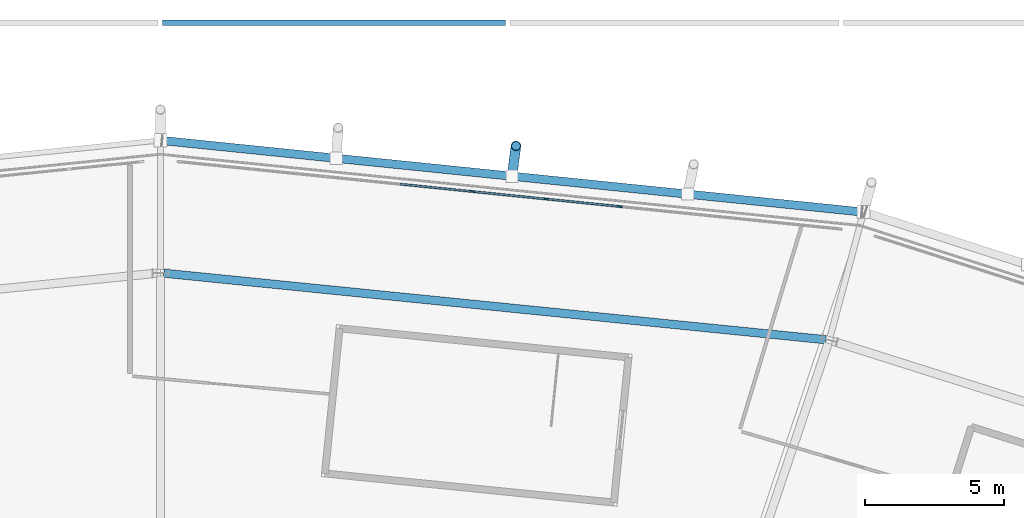
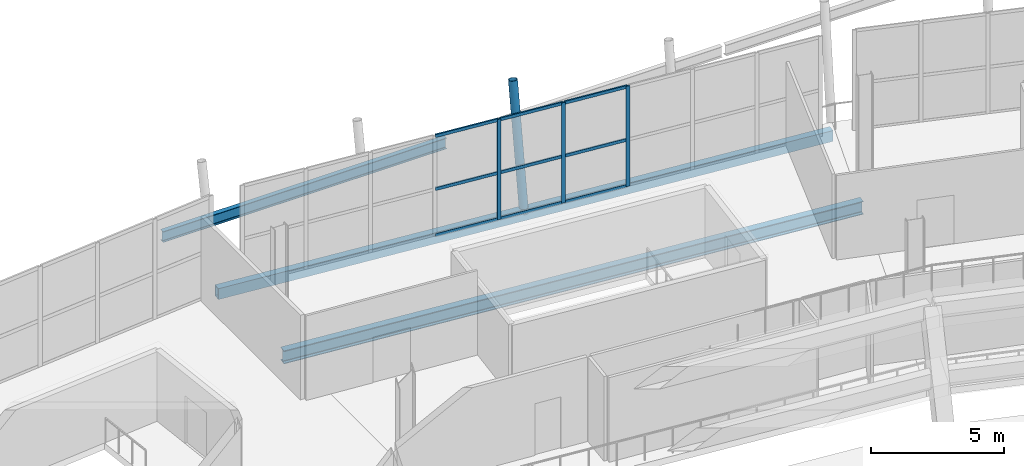
# One storey, part 55 of 126: 13 members, 3 beams, 1 element without a shape of its own.
"""IFC4 building model written with IfcOpenShell, lengths in metres."""

from ifc_helpers import new_model, si_unit, direction, frame, origin, origin_2d, place, context, subcontext, project, spatial, rectangle, hollow_rectangle, hollow_circle, i_section, extrude, material, material_profile, profile_set, type_object, element, aggregate, save


model = new_model("IFC4")

# Units and contexts
model_context = context("Model", 3, precision=1e-05, world=origin(), true_north=direction((0.0, 1.0)))
body_context = subcontext(model_context, "Body", "Model", "MODEL_VIEW")
ifc_project = project(units=[si_unit("LENGTHUNIT", "METRE"), si_unit("AREAUNIT", "SQUARE_METRE"), si_unit("VOLUMEUNIT", "CUBIC_METRE"), si_unit("PLANEANGLEUNIT", "RADIAN"), si_unit("MASSUNIT", "GRAM", prefix="KILO")], contexts=[model_context])

# Site, building, storey
site_placement = place(None, origin())
site = spatial("IfcSite", under=ifc_project, at=site_placement, CompositionType="ELEMENT")
building_placement = place(site_placement, origin())
building = spatial("IfcBuilding", under=site, at=building_placement, Name="Zlatoyarsky Gate Stadium", CompositionType="ELEMENT")
storey_placement = place(building_placement, frame((0.0, 0.0, 20.800048828125)))
storey = spatial("IfcBuildingStorey", under=building, at=storey_placement, Name="L04", CompositionType="ELEMENT", Elevation=20.800048828125)

# Curtain wall, members
ifc_material_1 = material(Name="Thermally broken anodised aluminium curtain wall", Category="aluminium")
curtain_wall_type = type_object("IfcCurtainWallType", Name="UNITISED MEDIA RING GLAZING L04", PredefinedType="USERDEFINED", material=ifc_material_1)
curtain_wall_placement = place(storey_placement, origin())
curtain_wall = element("IfcCurtainWall", 1, at=curtain_wall_placement, inside=storey, type_object=curtain_wall_type, Name="Curtain wall CW-L04-05", ObjectType="UNITISED GLAZING", PredefinedType="USERDEFINED")
ifc_material_2 = material(Name="Anodised aluminium 6063-T6", Category="aluminium")
ifc_material_profile_1 = material_profile(ifc_material_2, rectangle(XDim=0.06494140625, YDim=0.159912109375, at=origin_2d()), Name="ALU 65X160")
ifc_profile_set_1 = profile_set([ifc_material_profile_1], Name="Anodised aluminium 6063-T6")
member_type_1 = type_object("IfcMemberType", Name="ALUMINIUM MULLION 65X160", PredefinedType="MULLION", material=ifc_profile_set_1)
member_1_placement = place(storey_placement, frame((127.533447265625, 153.38623046875, 0.0), z_axis=(0.0, 0.0, 1.0), x_axis=(-0.10129293102, -0.994856644007, 0.0)))
member_1 = element("IfcMember", 2, at=member_1_placement, type_object=member_type_1, Name="CW-UG4 mullion 4", PredefinedType="MULLION", context=body_context, shape_type="SweptSolid", body=[
    extrude(rectangle(XDim=0.06494140625, YDim=0.159912109375, at=origin_2d()), origin(), (0.0, 0.0, 1.0), 4.619873046875),
])
member_2_placement = place(storey_placement, frame((124.8857421875, 153.65576171875, 0.0), z_axis=(0.0, 0.0, 1.0), x_axis=(-0.10129293102, -0.994856644007, 0.0)))
member_2 = element("IfcMember", 3, at=member_2_placement, type_object=member_type_1, Name="CW-UG4 mullion 5", PredefinedType="MULLION", context=body_context, shape_type="SweptSolid", body=[
    extrude(rectangle(XDim=0.06494140625, YDim=0.159912109375, at=origin_2d()), origin(), (0.0, 0.0, 1.0), 4.619873046875),
])
member_3_placement = place(storey_placement, frame((122.23779296875, 153.925537109375, 0.0), z_axis=(0.0, 0.0, 1.0), x_axis=(-0.10129293102, -0.994856644007, 0.0)))
member_3 = element("IfcMember", 4, at=member_3_placement, type_object=member_type_1, Name="CW-UG4 mullion 6", PredefinedType="MULLION", context=body_context, shape_type="SweptSolid", body=[
    extrude(rectangle(XDim=0.06494140625, YDim=0.159912109375, at=origin_2d()), origin(), (0.0, 0.0, 1.0), 4.619873046875),
])
ifc_material_profile_2 = material_profile(ifc_material_2, rectangle(XDim=0.06494140625, YDim=0.139892578125, at=origin_2d()), Name="ALU 65X140")
ifc_profile_set_2 = profile_set([ifc_material_profile_2], Name="Anodised aluminium 6063-T6")
member_type_2 = type_object("IfcMemberType", Name="ALUMINIUM TRANSOM 65X140", PredefinedType="USERDEFINED", material=ifc_profile_set_2)
member_4_placement = place(storey_placement, frame((127.501220703125, 153.3896484375, 0.032470703125), z_axis=(-0.994859690225, 0.101263007879, 0.0), x_axis=(-0.101263007879, -0.994859690225, 0.0)))
member_4 = element("IfcMember", 5, at=member_4_placement, type_object=member_type_2, Name="CW-UG4 transom 4.1", ObjectType="TRANSOM", PredefinedType="USERDEFINED", context=body_context, shape_type="SweptSolid", body=[
    extrude(rectangle(XDim=0.06494140625, YDim=0.139892578125, at=origin_2d()), origin(), (0.0, 0.0, 1.0), 2.5966796875),
])
member_5_placement = place(storey_placement, frame((127.501220703125, 153.3896484375, 2.14990234375), z_axis=(-0.994859690225, 0.101263007879, 0.0), x_axis=(-0.101263007879, -0.994859690225, 0.0)))
member_5 = element("IfcMember", 6, at=member_5_placement, type_object=member_type_2, Name="CW-UG4 transom 4.2", ObjectType="TRANSOM", PredefinedType="USERDEFINED", context=body_context, shape_type="SweptSolid", body=[
    extrude(rectangle(XDim=0.06494140625, YDim=0.139892578125, at=origin_2d()), origin(), (0.0, 0.0, 1.0), 2.5966796875),
])
member_6_placement = place(storey_placement, frame((127.501220703125, 153.3896484375, 4.58740234375), z_axis=(-0.994859690225, 0.101263007879, 0.0), x_axis=(-0.101263007879, -0.994859690225, 0.0)))
member_6 = element("IfcMember", 7, at=member_6_placement, type_object=member_type_2, Name="CW-UG4 transom 4.3", ObjectType="TRANSOM", PredefinedType="USERDEFINED", context=body_context, shape_type="SweptSolid", body=[
    extrude(rectangle(XDim=0.06494140625, YDim=0.139892578125, at=origin_2d()), origin(), (0.0, 0.0, 1.0), 2.5966796875),
])
member_7_placement = place(storey_placement, frame((124.853271484375, 153.6591796875, 0.032470703125), z_axis=(-0.994858725957, 0.101272480894, 0.0), x_axis=(-0.101272480894, -0.994858725957, 0.0)))
member_7 = element("IfcMember", 8, at=member_7_placement, type_object=member_type_2, Name="CW-UG4 transom 5.1", ObjectType="TRANSOM", PredefinedType="USERDEFINED", context=body_context, shape_type="SweptSolid", body=[
    extrude(rectangle(XDim=0.06494140625, YDim=0.139892578125, at=origin_2d()), origin(), (0.0, 0.0, 1.0), 2.596435546875),
])
member_8_placement = place(storey_placement, frame((124.853271484375, 153.6591796875, 2.14990234375), z_axis=(-0.994858725957, 0.101272480894, 0.0), x_axis=(-0.101272480894, -0.994858725957, 0.0)))
member_8 = element("IfcMember", 9, at=member_8_placement, type_object=member_type_2, Name="CW-UG4 transom 5.2", ObjectType="TRANSOM", PredefinedType="USERDEFINED", context=body_context, shape_type="SweptSolid", body=[
    extrude(rectangle(XDim=0.06494140625, YDim=0.139892578125, at=origin_2d()), origin(), (0.0, 0.0, 1.0), 2.596435546875),
])
member_9_placement = place(storey_placement, frame((124.853271484375, 153.6591796875, 4.58740234375), z_axis=(-0.994858725957, 0.101272480894, 0.0), x_axis=(-0.101272480894, -0.994858725957, 0.0)))
member_9 = element("IfcMember", 10, at=member_9_placement, type_object=member_type_2, Name="CW-UG4 transom 5.3", ObjectType="TRANSOM", PredefinedType="USERDEFINED", context=body_context, shape_type="SweptSolid", body=[
    extrude(rectangle(XDim=0.06494140625, YDim=0.139892578125, at=origin_2d()), origin(), (0.0, 0.0, 1.0), 2.596435546875),
])
member_10_placement = place(storey_placement, frame((122.20556640625, 153.9287109375, 0.032470703125), z_axis=(-0.994859690225, 0.101263007879, 0.0), x_axis=(-0.101263007879, -0.994859690225, 0.0)))
member_10 = element("IfcMember", 11, at=member_10_placement, type_object=member_type_2, Name="CW-UG4 transom 6.1", ObjectType="TRANSOM", PredefinedType="USERDEFINED", context=body_context, shape_type="SweptSolid", body=[
    extrude(rectangle(XDim=0.06494140625, YDim=0.139892578125, at=origin_2d()), origin(), (0.0, 0.0, 1.0), 2.5966796875),
])
member_11_placement = place(storey_placement, frame((122.20556640625, 153.9287109375, 2.14990234375), z_axis=(-0.994859690225, 0.101263007879, 0.0), x_axis=(-0.101263007879, -0.994859690225, 0.0)))
member_11 = element("IfcMember", 12, at=member_11_placement, type_object=member_type_2, Name="CW-UG4 transom 6.2", ObjectType="TRANSOM", PredefinedType="USERDEFINED", context=body_context, shape_type="SweptSolid", body=[
    extrude(rectangle(XDim=0.06494140625, YDim=0.139892578125, at=origin_2d()), origin(), (0.0, 0.0, 1.0), 2.5966796875),
])
member_12_placement = place(storey_placement, frame((122.20556640625, 153.9287109375, 4.58740234375), z_axis=(-0.994859690225, 0.101263007879, 0.0), x_axis=(-0.101263007879, -0.994859690225, 0.0)))
member_12 = element("IfcMember", 13, at=member_12_placement, type_object=member_type_2, Name="CW-UG4 transom 6.3", ObjectType="TRANSOM", PredefinedType="USERDEFINED", context=body_context, shape_type="SweptSolid", body=[
    extrude(rectangle(XDim=0.06494140625, YDim=0.139892578125, at=origin_2d()), origin(), (0.0, 0.0, 1.0), 2.5966796875),
])
aggregate(curtain_wall, [member_1, member_2, member_3, member_4, member_5, member_6, member_7, member_8, member_9, member_10, member_11, member_12])

# Beam
ifc_material_3 = material(Name="Steel S355", Category="steel")
ifc_material_profile_3 = material_profile(ifc_material_3, i_section(OverallWidth=0.199951171875, OverallDepth=0.5, WebThickness=0.01025390625, FlangeThickness=0.01611328125, FilletRadius=0.02099609375, at=origin_2d()), Name="IPE 500")
ifc_profile_set_3 = profile_set([ifc_material_profile_3], Name="Steel S355")
beam_type_1 = type_object("IfcBeamType", Name="STEEL FLOOR BEAM IPE 500", PredefinedType="BEAM", material=ifc_profile_set_3)
beam_1_placement = place(storey_placement, frame((111.080078125, 160.0, -0.550048828125), z_axis=(1.0, 0.0, 0.0), x_axis=(0.0, 1.0, 0.0)))
element("IfcBeam", 14, at=beam_1_placement, inside=storey, type_object=beam_type_1, Name="Beam B-IPE500 BM-L04-WGX-10-Q", PredefinedType="BEAM", context=body_context, shape_type="SweptSolid", body=[
    extrude(i_section(OverallWidth=0.199951171875, OverallDepth=0.5, WebThickness=0.01025390625, FlangeThickness=0.01611328125, FilletRadius=0.02099609375, at=origin_2d()), origin(), (0.0, 0.0, 1.0), 12.33984375),
])

# Member
ifc_material_profile_4 = material_profile(ifc_material_3, hollow_circle(Radius=0.177734375, WallThickness=0.02001953125, at=origin_2d()), Name="CHS 355.6X20")
ifc_profile_set_4 = profile_set([ifc_material_profile_4], Name="Steel S355")
member_type_3 = type_object("IfcMemberType", Name="STEEL LEANING RIB RING STRUT CHS 355.6X20", PredefinedType="STRUT", material=ifc_profile_set_4)
member_13_placement = place(storey_placement, frame((123.65234375, 154.478759765625, -0.550048828125), z_axis=(0.025822463038, 0.196329902112, 0.98019782184), x_axis=(-0.991461099372, 0.130402793039, 0.0)))
element("IfcMember", 15, at=member_13_placement, inside=storey, type_object=member_type_3, Name="Outward-leaning bowl louvre fin rib L04 05-2", PredefinedType="STRUT", context=body_context, shape_type="SweptSolid", body=[
    extrude(hollow_circle(Radius=0.177734375, WallThickness=0.02001953125, at=origin_2d()), origin(), (0.0, 0.0, 1.0), 5.5498046875),
])

# Beams
ifc_material_profile_5 = material_profile(ifc_material_3, hollow_rectangle(XDim=0.300048828125, YDim=0.5, WallThickness=0.02001953125, at=origin_2d()), Name="RHS 500X300X20")
ifc_profile_set_5 = profile_set([ifc_material_profile_5], Name="Steel S355")
beam_type_2 = type_object("IfcBeamType", Name="STEEL LOUVRE CARRIER SPANDREL RHS 500X300X20", PredefinedType="SPANDREL", material=ifc_profile_set_5)
beam_2_placement = place(storey_placement, frame((136.28466796875, 153.189697265625, -0.550048828125), z_axis=(-0.994834717101, 0.10150805707, 0.0), x_axis=(-0.10150805707, -0.994834717101, 0.0)))
element("IfcBeam", 16, at=beam_2_placement, inside=storey, type_object=beam_type_2, Name="Beam SP-RHS500 BM-L04-SPD-05", PredefinedType="SPANDREL", context=body_context, shape_type="SweptSolid", body=[
    extrude(hollow_rectangle(XDim=0.300048828125, YDim=0.5, WallThickness=0.02001953125, at=origin_2d()), origin(), (0.0, 0.0, 1.0), 25.395751953125),
])
ifc_material_profile_6 = material_profile(ifc_material_3, i_section(OverallWidth=0.300048828125, OverallDepth=0.60009765625, WebThickness=0.015380859375, FlangeThickness=0.030029296875, FilletRadius=0.027099609375, at=origin_2d()), Name="HEB 600")
ifc_profile_set_6 = profile_set([ifc_material_profile_6], Name="Steel S355")
beam_type_3 = type_object("IfcBeamType", Name="STEEL PRIMARY GIRDER HEB 600", PredefinedType="BEAM", material=ifc_profile_set_6)
beam_3_placement = place(storey_placement, frame((134.95068359375, 148.5927734375, -0.60009765625), z_axis=(-0.994986905268, 0.100005291586, 0.0), x_axis=(-0.100005291586, -0.994986905268, 0.0)))
element("IfcBeam", 17, at=beam_3_placement, inside=storey, type_object=beam_type_3, Name="Beam G-HEB600 BM-L04-CRC-05", PredefinedType="BEAM", context=body_context, shape_type="SweptSolid", body=[
    extrude(i_section(OverallWidth=0.300048828125, OverallDepth=0.60009765625, WebThickness=0.015380859375, FlangeThickness=0.030029296875, FilletRadius=0.027099609375, at=origin_2d()), origin(), (0.0, 0.0, 1.0), 23.951416015625),
])

save(model, "model.ifc")
